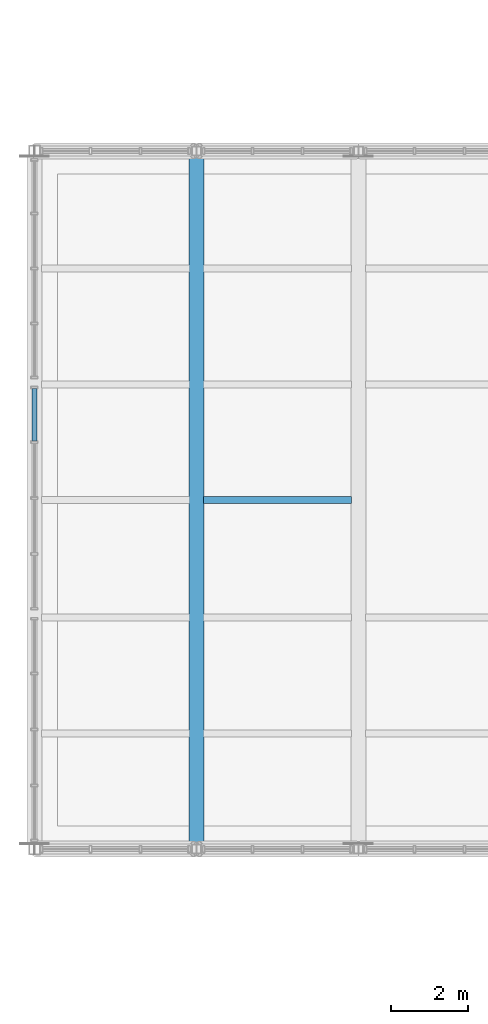
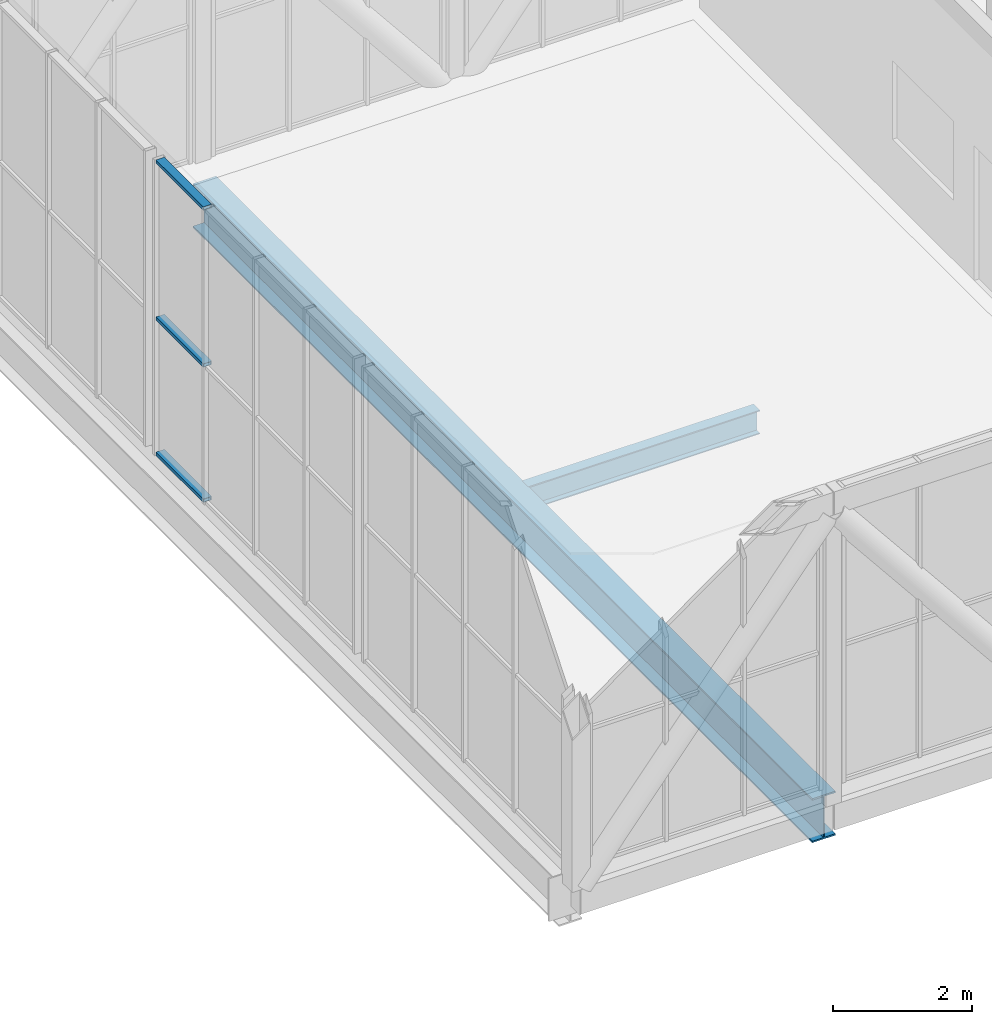
# One storey, part 9 of 58: 3 members, 2 beams, 1 element without a shape of its own.
"""IFC4 building model written with IfcOpenShell, lengths in metres."""

from ifc_helpers import new_model, si_unit, direction, frame, origin, origin_2d, place, context, subcontext, project, spatial, hollow_rectangle, i_section, extrude, material, material_profile, profile_set, type_object, element, aggregate, save


model = new_model("IFC4")

# Units and contexts
model_context = context("Model", 3, precision=1e-05, world=origin(), true_north=direction((0.0, 1.0)))
body_context = subcontext(model_context, "Body", "Model", "MODEL_VIEW")
ifc_project = project(units=[si_unit("LENGTHUNIT", "METRE"), si_unit("AREAUNIT", "SQUARE_METRE"), si_unit("VOLUMEUNIT", "CUBIC_METRE"), si_unit("PLANEANGLEUNIT", "RADIAN"), si_unit("MASSUNIT", "GRAM", prefix="KILO")], contexts=[model_context])

# Site, building, storey
site_placement = place(None, origin())
site = spatial("IfcSite", under=ifc_project, at=site_placement, CompositionType="ELEMENT")
building_placement = place(site_placement, origin())
building = spatial("IfcBuilding", under=site, at=building_placement, Name="Khurvash Pelagic Aquarium", CompositionType="ELEMENT")
storey_placement = place(building_placement, frame((0.0, 0.0, 24.60009765625)))
storey = spatial("IfcBuildingStorey", under=building, at=storey_placement, Name="L05", CompositionType="ELEMENT", Elevation=24.60009765625)

# Beam
ifc_material_1 = material(Name="Steel ASTM A992 Grade 50", Category="steel")
ifc_material_profile_1 = material_profile(ifc_material_1, i_section(OverallWidth=0.381103515625, OverallDepth=0.77197265625, WebThickness=0.0166015625, FlangeThickness=0.027099609375, at=origin_2d()), Name="W30X173")
ifc_profile_set_1 = profile_set([ifc_material_profile_1], Name="Steel ASTM A992 Grade 50")
beam_type_1 = type_object("IfcBeamType", Name="BM-08", PredefinedType="BEAM", material=ifc_profile_set_1)
beam_1_placement = place(storey_placement, frame((16.800048828125, 11.81005859375, -0.68603515625), z_axis=(0.0, 1.0, 0.0), x_axis=(-1.0, 0.0, 0.0)))
element("IfcBeam", 1, at=beam_1_placement, inside=storey, type_object=beam_type_1, Name="L05 Sky-Bar Transverse Floor Girder BM-08 N02", PredefinedType="BEAM", context=body_context, shape_type="SweptSolid", body=[
    extrude(i_section(OverallWidth=0.381103515625, OverallDepth=0.77197265625, WebThickness=0.0166015625, FlangeThickness=0.027099609375, at=origin_2d()), origin(), (0.0, 0.0, 1.0), 17.780029296875),
])

# Curtain wall, members
ifc_material_2 = material(Name="Anodised aluminium and low-E laminated glass", Category="aluminium")
curtain_wall_type = type_object("IfcCurtainWallType", Name="CW-04", PredefinedType="USERDEFINED", material=ifc_material_2)
curtain_wall_placement = place(storey_placement, origin())
curtain_wall = element("IfcCurtainWall", 2, at=curtain_wall_placement, inside=storey, type_object=curtain_wall_type, Name="L05 West Cantilever Overlook Curtain Wall CW-04", ObjectType="UNITISED CURTAIN WALL", PredefinedType="USERDEFINED")
ifc_material_3 = material(Name="Extruded aluminium AW-6063-T6", Category="aluminium")
ifc_material_profile_2 = material_profile(ifc_material_3, hollow_rectangle(XDim=0.139892578125, YDim=0.06005859375, WallThickness=0.00390625, at=origin_2d()), Name="CWT140X60X4")
ifc_profile_set_2 = profile_set([ifc_material_profile_2], Name="Extruded aluminium AW-6063-T6")
member_type = type_object("IfcMemberType", Name="CT-01", PredefinedType="USERDEFINED", material=ifc_profile_set_2)
member_1_placement = place(storey_placement, frame((12.60009765625, 22.22998046875, 0.02978515625), z_axis=(0.0, 1.0, 0.0), x_axis=(-1.0, 0.0, 0.0)))
member_1 = element("IfcMember", 3, at=member_1_placement, type_object=member_type, Name="CW-04 transom 4.1", ObjectType="TRANSOM", PredefinedType="USERDEFINED", context=body_context, shape_type="SweptSolid", body=[
    extrude(hollow_rectangle(XDim=0.139892578125, YDim=0.06005859375, WallThickness=0.00390625, at=origin_2d()), origin(), (0.0, 0.0, 1.0), 1.360107421875),
])
member_2_placement = place(storey_placement, frame((12.60009765625, 22.22998046875, 2.39990234375), z_axis=(0.0, 1.0, 0.0), x_axis=(-1.0, 0.0, 0.0)))
member_2 = element("IfcMember", 4, at=member_2_placement, type_object=member_type, Name="CW-04 transom 4.2", ObjectType="TRANSOM", PredefinedType="USERDEFINED", context=body_context, shape_type="SweptSolid", body=[
    extrude(hollow_rectangle(XDim=0.139892578125, YDim=0.06005859375, WallThickness=0.00390625, at=origin_2d()), origin(), (0.0, 0.0, 1.0), 1.360107421875),
])
member_3_placement = place(storey_placement, frame((12.60009765625, 22.22998046875, 5.14990234375), z_axis=(0.0, 1.0, 0.0), x_axis=(-1.0, 0.0, 0.0)))
member_3 = element("IfcMember", 5, at=member_3_placement, type_object=member_type, Name="CW-04 transom 4.3", ObjectType="TRANSOM", PredefinedType="USERDEFINED", context=body_context, shape_type="SweptSolid", body=[
    extrude(hollow_rectangle(XDim=0.139892578125, YDim=0.06005859375, WallThickness=0.00390625, at=origin_2d()), origin(), (0.0, 0.0, 1.0), 1.360107421875),
])
aggregate(curtain_wall, [member_1, member_2, member_3])

# Beam
ifc_material_profile_3 = material_profile(ifc_material_1, i_section(OverallWidth=0.180908203125, OverallDepth=0.4169921875, WebThickness=0.010986328125, FlangeThickness=0.018310546875, at=origin_2d()), Name="W16X57")
ifc_profile_set_3 = profile_set([ifc_material_profile_3], Name="Steel ASTM A992 Grade 50")
beam_type_2 = type_object("IfcBeamType", Name="JS-03", PredefinedType="JOIST", material=ifc_profile_set_3)
beam_2_placement = place(storey_placement, frame((16.97998046875, 20.699951171875, -0.508544921875), z_axis=(1.0, 0.0, 0.0), x_axis=(0.0, 1.0, 0.0)))
element("IfcBeam", 6, at=beam_2_placement, inside=storey, type_object=beam_type_2, Name="L05 Sky-Bar Floor Joist JS-03 P02", PredefinedType="JOIST", context=body_context, shape_type="SweptSolid", body=[
    extrude(i_section(OverallWidth=0.180908203125, OverallDepth=0.4169921875, WebThickness=0.010986328125, FlangeThickness=0.018310546875, at=origin_2d()), origin(), (0.0, 0.0, 1.0), 3.840087890625),
])

save(model, "model.ifc")
